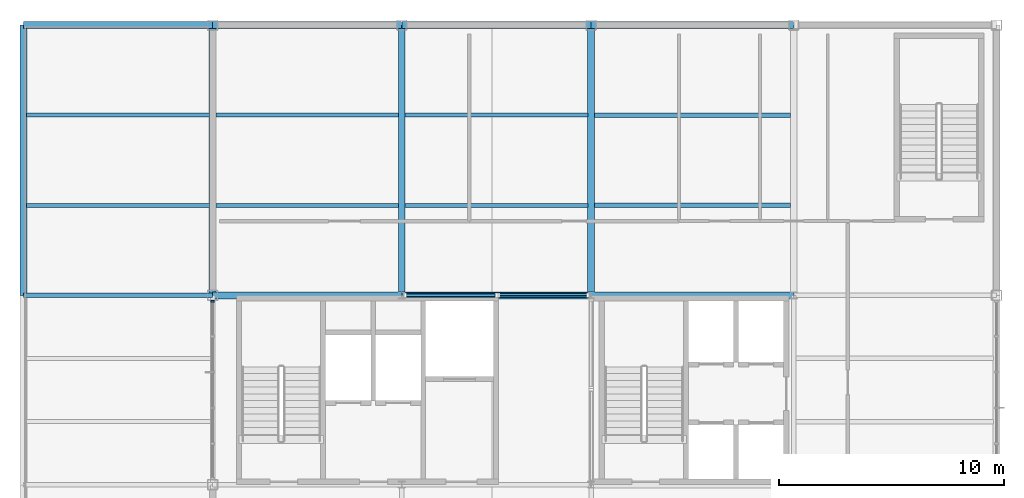
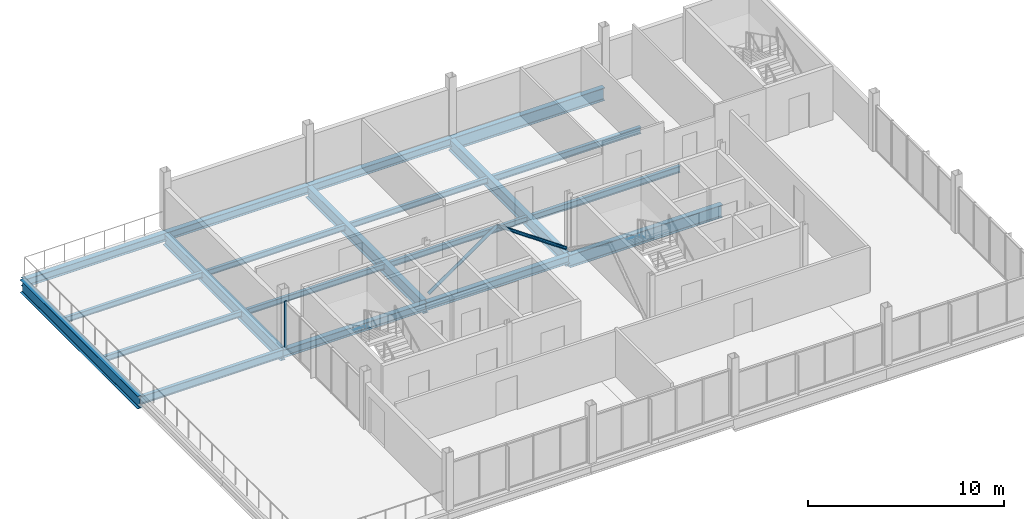
# One storey, part 5 of 14: 20 beams, 3 members, 1 element without a shape of its own.
"""IFC4 building model written with IfcOpenShell, lengths in metres."""

from ifc_helpers import new_model, si_unit, direction, frame, origin, origin_2d, place, context, subcontext, project, spatial, rectangle, hollow_circle, i_section, extrude, material, layer, layer_set, material_profile, profile_set, type_object, element, aggregate, save


model = new_model("IFC4")

# Units and contexts
model_context = context("Model", 3, precision=1e-05, world=origin(), true_north=direction((0.0, 1.0)))
body_context = subcontext(model_context, "Body", "Model", "MODEL_VIEW")
ifc_project = project(units=[si_unit("LENGTHUNIT", "METRE"), si_unit("AREAUNIT", "SQUARE_METRE"), si_unit("VOLUMEUNIT", "CUBIC_METRE"), si_unit("PLANEANGLEUNIT", "RADIAN"), si_unit("MASSUNIT", "GRAM", prefix="KILO")], contexts=[model_context])

# Site, building, storey
site_placement = place(None, origin())
site = spatial("IfcSite", under=ifc_project, at=site_placement, CompositionType="ELEMENT")
building_placement = place(site_placement, origin())
building = spatial("IfcBuilding", under=site, at=building_placement, Name="Yukiwa Park Conservatory and Herbarium", CompositionType="ELEMENT")
storey_placement = place(building_placement, frame((0.0, 0.0, 50.39990234375)))
storey = spatial("IfcBuildingStorey", under=building, at=storey_placement, Name="L13", CompositionType="ELEMENT", Elevation=50.39990234375)

# Beams
ifc_material_1 = material(Name="Steel Q355D", Category="steel")
ifc_material_profile_1 = material_profile(ifc_material_1, i_section(OverallWidth=0.199951171875, OverallDepth=0.5, WebThickness=0.010009765625, FlangeThickness=0.01611328125, FilletRadius=0.02001953125, at=origin_2d()), Name="HN 500x200x10x16")
ifc_profile_set_1 = profile_set([ifc_material_profile_1], Name="Steel Q355D")
beam_type_1 = type_object("IfcBeamType", Name="BM-GRD-HN500", PredefinedType="BEAM", material=ifc_profile_set_1)
beam_1_placement = place(storey_placement, frame((124.805908203125, 103.199951171875, -0.511962890625), z_axis=(1.0, 0.0, 0.0), x_axis=(0.0, 1.0, 0.0)))
element("IfcBeam", 1, at=beam_1_placement, inside=storey, type_object=beam_type_1, Name="L13 grid beam X-11", PredefinedType="BEAM", context=body_context, shape_type="SweptSolid", body=[
    extrude(i_section(OverallWidth=0.199951171875, OverallDepth=0.5, WebThickness=0.010009765625, FlangeThickness=0.01611328125, FilletRadius=0.02001953125, at=origin_2d()), origin(), (0.0, 0.0, 1.0), 8.38818359375),
])
ifc_material_2 = material(Name="Steel Q355D", Category="steel")
ifc_material_profile_2 = material_profile(ifc_material_2, i_section(OverallWidth=0.300048828125, OverallDepth=0.75, WebThickness=0.012939453125, FlangeThickness=0.02392578125, FilletRadius=0.028076171875, at=origin_2d()), Name="HN 750x300x13x24")
ifc_profile_set_2 = profile_set([ifc_material_profile_2], Name="Steel Q355D")
beam_type_2 = type_object("IfcBeamType", Name="BM-GRD-HN750", PredefinedType="BEAM", material=ifc_profile_set_2)
for number, where, z_axis, x_axis, name in (
    (2, (133.199951171875, 103.2060546875, -0.636962890625), (0.0, 1.0, 0.0), (-1.0, 0.0, 0.0), "L13 grid girder Y-26"),
    (3, (141.60009765625, 103.2060546875, -0.636962890625), (0.0, 1.0, 0.0), (-1.0, 0.0, 0.0), "L13 grid girder Y-28"),
    (4, (150.0, 103.2060546875, -0.636962890625), (0.0, 1.0, 0.0), (-1.0, 0.0, 0.0), "L13 grid girder Y-31"),
):
    element("IfcBeam", number, at=place(storey_placement, frame(where, z_axis=z_axis, x_axis=x_axis)), inside=storey, type_object=beam_type_2, Name=name, PredefinedType="BEAM", context=body_context, shape_type="SweptSolid", body=[
        extrude(i_section(OverallWidth=0.300048828125, OverallDepth=0.75, WebThickness=0.012939453125, FlangeThickness=0.02392578125, FilletRadius=0.028076171875, at=origin_2d()), origin(), (0.0, 0.0, 1.0), 11.988037109375),
    ])
ifc_material_3 = material(Name="Steel Q355D", Category="steel")
ifc_material_profile_3 = material_profile(ifc_material_3, i_section(OverallWidth=0.175048828125, OverallDepth=0.35009765625, WebThickness=0.007080078125, FlangeThickness=0.010986328125, FilletRadius=0.013916015625, at=origin_2d()), Name="HN 350x175x7x11")
ifc_profile_set_3 = profile_set([ifc_material_profile_3], Name="Steel Q355D")
beam_type_3 = type_object("IfcBeamType", Name="BM-JST-HN350", PredefinedType="JOIST", material=ifc_profile_set_3)
for number, where, z_axis, x_axis, name in (
    (5, (124.946044921875, 107.199951171875, -0.434814453125), (1.0, 0.0, 0.0), (0.0, 1.0, 0.0), "L13 composite floor joist 5"),
    (6, (124.946044921875, 111.199951171875, -0.434814453125), (1.0, 0.0, 0.0), (0.0, 1.0, 0.0), "L13 composite floor joist 6"),
):
    element("IfcBeam", number, at=place(storey_placement, frame(where, z_axis=z_axis, x_axis=x_axis)), inside=storey, type_object=beam_type_3, Name=name, PredefinedType="JOIST", context=body_context, shape_type="SweptSolid", body=[
        extrude(i_section(OverallWidth=0.175048828125, OverallDepth=0.35009765625, WebThickness=0.007080078125, FlangeThickness=0.010986328125, FilletRadius=0.013916015625, at=origin_2d()), origin(), (0.0, 0.0, 1.0), 8.10791015625),
    ])
for number, where, z_axis, x_axis, name in (
    (7, (133.345947265625, 107.199951171875, -0.43701171875), (1.0, 0.0, 0.0), (0.0, 1.0, 0.0), "L13 composite floor joist 9"),
    (8, (133.345947265625, 111.199951171875, -0.43701171875), (1.0, 0.0, 0.0), (0.0, 1.0, 0.0), "L13 composite floor joist 10"),
):
    element("IfcBeam", number, at=place(storey_placement, frame(where, z_axis=z_axis, x_axis=x_axis)), inside=storey, type_object=beam_type_3, Name=name, PredefinedType="JOIST", context=body_context, shape_type="SweptSolid", body=[
        extrude(i_section(OverallWidth=0.175048828125, OverallDepth=0.35009765625, WebThickness=0.007080078125, FlangeThickness=0.010986328125, FilletRadius=0.013916015625, at=origin_2d()), origin(), (0.0, 0.0, 1.0), 8.108154296875),
    ])
for number, where, z_axis, x_axis, name in (
    (9, (141.74609375, 107.199951171875, -0.43701171875), (1.0, 0.0, 0.0), (0.0, 1.0, 0.0), "L13 composite floor joist 13"),
    (10, (141.74609375, 111.199951171875, -0.43701171875), (1.0, 0.0, 0.0), (0.0, 1.0, 0.0), "L13 composite floor joist 14"),
):
    element("IfcBeam", number, at=place(storey_placement, frame(where, z_axis=z_axis, x_axis=x_axis)), inside=storey, type_object=beam_type_3, Name=name, PredefinedType="JOIST", context=body_context, shape_type="SweptSolid", body=[
        extrude(i_section(OverallWidth=0.175048828125, OverallDepth=0.35009765625, WebThickness=0.007080078125, FlangeThickness=0.010986328125, FilletRadius=0.013916015625, at=origin_2d()), origin(), (0.0, 0.0, 1.0), 8.10791015625),
    ])
ifc_material_4 = material(Name="Steel Q355D", Category="steel")
ifc_material_profile_4 = material_profile(ifc_material_4, i_section(OverallWidth=0.199951171875, OverallDepth=0.39990234375, WebThickness=0.008056640625, FlangeThickness=0.012939453125, FilletRadius=0.01611328125, at=origin_2d()), Name="HN 400x200x8x13")
ifc_profile_set_4 = profile_set([ifc_material_profile_4], Name="Steel Q355D")
beam_type_4 = type_object("IfcBeamType", Name="BM-JST-HN400", PredefinedType="JOIST", material=ifc_profile_set_4)
for number, where, z_axis, x_axis, name in (
    (11, (150.14599609375, 107.199951171875, -0.4619140625), (1.0, 0.0, 0.0), (0.0, 1.0, 0.0), "L13 composite floor joist 17"),
    (12, (150.14599609375, 111.199951171875, -0.4619140625), (1.0, 0.0, 0.0), (0.0, 1.0, 0.0), "L13 composite floor joist 18"),
):
    element("IfcBeam", number, at=place(storey_placement, frame(where, z_axis=z_axis, x_axis=x_axis)), inside=storey, type_object=beam_type_4, Name=name, PredefinedType="JOIST", context=body_context, shape_type="SweptSolid", body=[
        extrude(i_section(OverallWidth=0.199951171875, OverallDepth=0.39990234375, WebThickness=0.008056640625, FlangeThickness=0.012939453125, FilletRadius=0.01611328125, at=origin_2d()), origin(), (0.0, 0.0, 1.0), 8.7080078125),
    ])
ifc_material_5 = material(Name="Steel Q355D", Category="steel")
ifc_material_profile_5 = material_profile(ifc_material_5, i_section(OverallWidth=0.300048828125, OverallDepth=0.5, WebThickness=0.010986328125, FlangeThickness=0.01806640625, FilletRadius=0.02392578125, at=origin_2d()), Name="HM 500x300x11x18")
ifc_profile_set_5 = profile_set([ifc_material_profile_5], Name="Steel Q355D")
beam_type_5 = type_object("IfcBeamType", Name="BM-SPN-HN500", PredefinedType="SPANDREL", material=ifc_profile_set_5)
for number, where, z_axis, x_axis, name in (
    (13, (133.2060546875, 103.199951171875, -0.511962890625), (1.0, 0.0, 0.0), (0.0, 1.0, 0.0), "L13 spandrel beam X-12"),
    (14, (141.60595703125, 103.199951171875, -0.511962890625), (1.0, 0.0, 0.0), (0.0, 1.0, 0.0), "L13 spandrel beam X-13"),
):
    element("IfcBeam", number, at=place(storey_placement, frame(where, z_axis=z_axis, x_axis=x_axis)), inside=storey, type_object=beam_type_5, Name=name, PredefinedType="SPANDREL", context=body_context, shape_type="SweptSolid", body=[
        extrude(i_section(OverallWidth=0.300048828125, OverallDepth=0.5, WebThickness=0.010986328125, FlangeThickness=0.01806640625, FilletRadius=0.02392578125, at=origin_2d()), origin(), (0.0, 0.0, 1.0), 8.387939453125),
    ])
beam_2_placement = place(storey_placement, frame((124.805908203125, 115.199951171875, -0.511962890625), z_axis=(1.0, 0.0, 0.0), x_axis=(0.0, 1.0, 0.0)))
element("IfcBeam", 15, at=beam_2_placement, inside=storey, type_object=beam_type_5, Name="L13 spandrel beam X-16", PredefinedType="SPANDREL", context=body_context, shape_type="SweptSolid", body=[
    extrude(i_section(OverallWidth=0.300048828125, OverallDepth=0.5, WebThickness=0.010986328125, FlangeThickness=0.01806640625, FilletRadius=0.02392578125, at=origin_2d()), origin(), (0.0, 0.0, 1.0), 8.38818359375),
])
for number, where, z_axis, x_axis, name in (
    (16, (133.2060546875, 115.199951171875, -0.511962890625), (1.0, 0.0, 0.0), (0.0, 1.0, 0.0), "L13 spandrel beam X-17"),
    (17, (141.60595703125, 115.199951171875, -0.511962890625), (1.0, 0.0, 0.0), (0.0, 1.0, 0.0), "L13 spandrel beam X-18"),
):
    element("IfcBeam", number, at=place(storey_placement, frame(where, z_axis=z_axis, x_axis=x_axis)), inside=storey, type_object=beam_type_5, Name=name, PredefinedType="SPANDREL", context=body_context, shape_type="SweptSolid", body=[
        extrude(i_section(OverallWidth=0.300048828125, OverallDepth=0.5, WebThickness=0.010986328125, FlangeThickness=0.01806640625, FilletRadius=0.02392578125, at=origin_2d()), origin(), (0.0, 0.0, 1.0), 8.387939453125),
    ])
ifc_material_6 = material(Name="Steel Q355D", Category="steel")
ifc_material_profile_6 = material_profile(ifc_material_6, i_section(OverallWidth=0.300048828125, OverallDepth=0.7919921875, WebThickness=0.013916015625, FlangeThickness=0.02197265625, FilletRadius=0.028076171875, at=origin_2d()), Name="HN 792x300x14x22")
ifc_profile_set_6 = profile_set([ifc_material_profile_6], Name="Steel Q355D")
beam_type_6 = type_object("IfcBeamType", Name="BM-SPN-HN600", PredefinedType="SPANDREL", material=ifc_profile_set_6)
for number, where, z_axis, x_axis, name in (
    (18, (150.006103515625, 103.199951171875, -0.657958984375), (1.0, 0.0, 0.0), (0.0, 1.0, 0.0), "L13 spandrel beam X-14"),
    (19, (150.006103515625, 115.199951171875, -0.657958984375), (1.0, 0.0, 0.0), (0.0, 1.0, 0.0), "L13 spandrel beam X-19"),
):
    element("IfcBeam", number, at=place(storey_placement, frame(where, z_axis=z_axis, x_axis=x_axis)), inside=storey, type_object=beam_type_6, Name=name, PredefinedType="SPANDREL", context=body_context, shape_type="SweptSolid", body=[
        extrude(i_section(OverallWidth=0.300048828125, OverallDepth=0.7919921875, WebThickness=0.013916015625, FlangeThickness=0.02197265625, FilletRadius=0.028076171875, at=origin_2d()), origin(), (0.0, 0.0, 1.0), 8.98779296875),
    ])
beam_3_placement = place(storey_placement, frame((124.800048828125, 103.2060546875, -0.656005859375), z_axis=(0.0, 1.0, 0.0), x_axis=(-1.0, 0.0, 0.0)))
element("IfcBeam", 20, at=beam_3_placement, inside=storey, type_object=beam_type_6, Name="L13 spandrel girder Y-23", PredefinedType="SPANDREL", context=body_context, shape_type="SweptSolid", body=[
    extrude(i_section(OverallWidth=0.300048828125, OverallDepth=0.7919921875, WebThickness=0.013916015625, FlangeThickness=0.02197265625, FilletRadius=0.028076171875, at=origin_2d()), origin(), (0.0, 0.0, 1.0), 11.988037109375),
])

# Members
ifc_material_7 = material(Name="Steel Q355D", Category="steel")
ifc_material_profile_7 = material_profile(ifc_material_7, hollow_circle(Radius=0.096923828125, WallThickness=0.010009765625, at=origin_2d()), Name="CHS 193.7x10")
ifc_profile_set_7 = profile_set([ifc_material_profile_7], Name="Steel Q355D")
member_type_1 = type_object("IfcMemberType", Name="MB-BR-CHS194", PredefinedType="BRACE", material=ifc_profile_set_7)
member_1_placement = place(storey_placement, frame((141.749267578125, 103.199951171875, 0.15380859375), z_axis=(0.820957639893, 0.0, 0.570989101035), x_axis=(0.0, 1.0, 0.0)))
element("IfcMember", 21, at=member_1_placement, inside=storey, type_object=member_type_1, Name="L13 concentric chevron brace 65", PredefinedType="BRACE", context=body_context, shape_type="SweptSolid", body=[
    extrude(hollow_circle(Radius=0.096923828125, WallThickness=0.010009765625, at=origin_2d()), origin(), (0.0, 0.0, 1.0), 4.934326171875),
])
member_2_placement = place(storey_placement, frame((149.8505859375, 103.199951171875, 0.15380859375), z_axis=(-0.820941507303, 0.0, 0.571012295478), x_axis=(0.0, -1.0, 0.0)))
element("IfcMember", 22, at=member_2_placement, inside=storey, type_object=member_type_1, Name="L13 concentric chevron brace 66", PredefinedType="BRACE", context=body_context, shape_type="SweptSolid", body=[
    extrude(hollow_circle(Radius=0.096923828125, WallThickness=0.010009765625, at=origin_2d()), origin(), (0.0, 0.0, 1.0), 4.93408203125),
])

# Curtain wall, member
ifc_material_8 = material(Name="Triple Low-E Insulated Glass", Category="glass")
ifc_layer = layer(ifc_material_8, 0.27197265625)
ifc_layer_set = layer_set([ifc_layer], Name="Triple Low-E Insulated Glass")
curtain_wall_type = type_object("IfcCurtainWallType", Name="CW-TOWER-LIB-1600", PredefinedType="NOTDEFINED", material=ifc_layer_set)
curtain_wall_placement = place(storey_placement, origin())
curtain_wall = element("IfcCurtainWall", 23, at=curtain_wall_placement, inside=storey, type_object=curtain_wall_type, Name="L13 unitised curtain wall CW-L13-128", PredefinedType="NOTDEFINED")
ifc_material_9 = material(Name="Anodised Aluminium", Category="aluminium")
member_type_2 = type_object("IfcMemberType", Name="MB-CW-MUL-70X150", PredefinedType="MULLION", material=ifc_material_9)
member_3_placement = place(storey_placement, frame((133.199951171875, 102.93994140625, 0.0), z_axis=(0.0, 0.0, 1.0), x_axis=(0.0, -1.0, 0.0)))
member_3 = element("IfcMember", 24, at=member_3_placement, type_object=member_type_2, Name="CW-L13-128 mullion 1", PredefinedType="MULLION", context=body_context, shape_type="SweptSolid", body=[
    extrude(rectangle(XDim=0.070068359375, YDim=0.14990234375, at=origin_2d()), origin(), (0.0, 0.0, 1.0), 2.845947265625),
])
aggregate(curtain_wall, [member_3])

save(model, "model.ifc")
